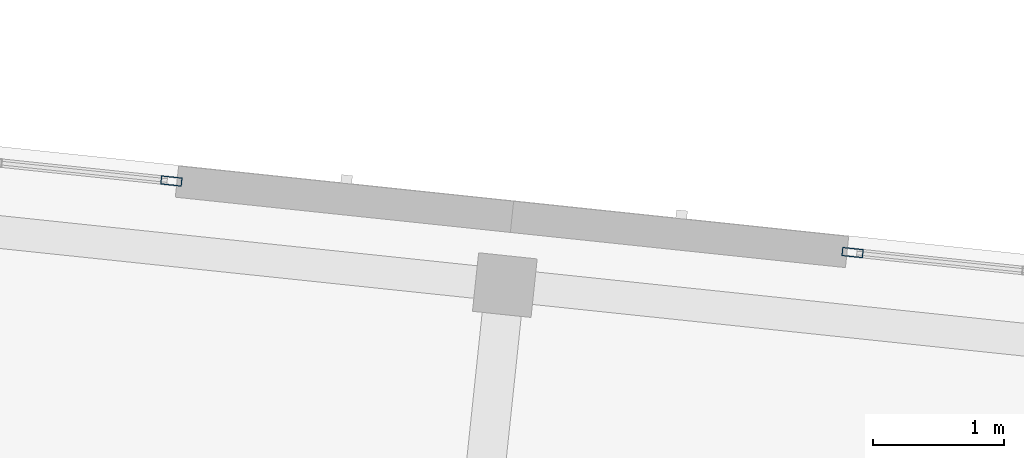
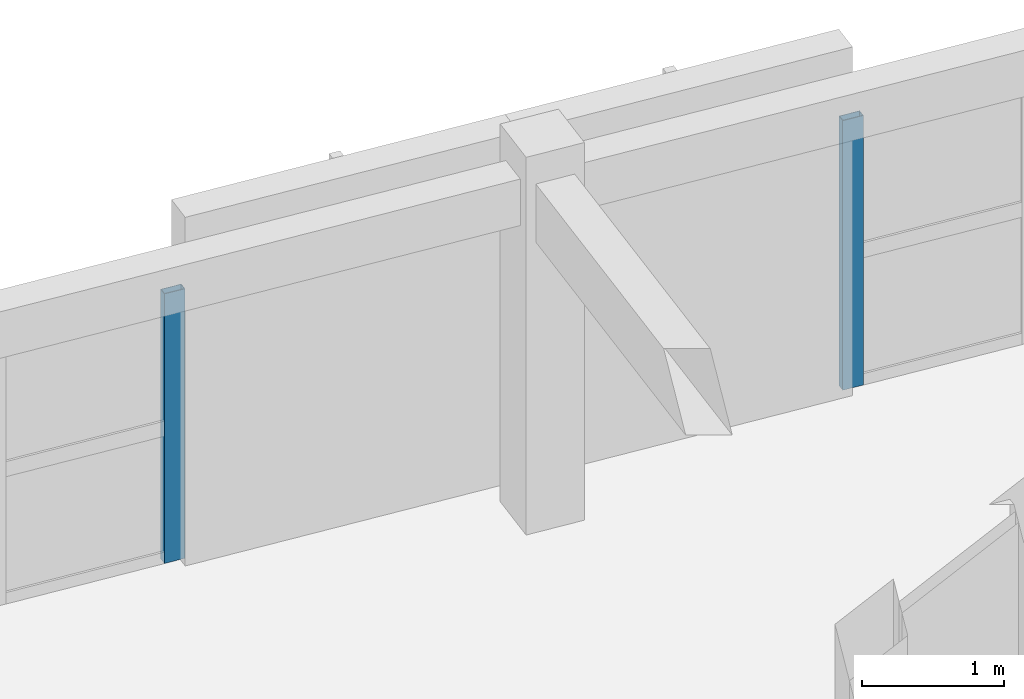
# One storey, part 11 of 45: 2 members, 2 elements without a shape of their own.
"""IFC4 building model written with IfcOpenShell, lengths in metres."""

from ifc_helpers import new_model, si_unit, direction, frame, origin, origin_2d, place, context, subcontext, project, spatial, hollow_rectangle, extrude, material, material_profile, profile_set, type_object, element, aggregate, save


model = new_model("IFC4")

# Units and contexts
model_context = context("Model", 3, precision=1e-05, world=origin(), true_north=direction((0.0, 1.0)))
body_context = subcontext(model_context, "Body", "Model", "MODEL_VIEW")
ifc_project = project(units=[si_unit("LENGTHUNIT", "METRE"), si_unit("AREAUNIT", "SQUARE_METRE"), si_unit("VOLUMEUNIT", "CUBIC_METRE"), si_unit("PLANEANGLEUNIT", "RADIAN"), si_unit("MASSUNIT", "GRAM", prefix="KILO")], contexts=[model_context])

# Site, building, storey
site_placement = place(None, origin())
site = spatial("IfcSite", under=ifc_project, at=site_placement, CompositionType="ELEMENT")
building_placement = place(site_placement, origin())
building = spatial("IfcBuilding", under=site, at=building_placement, Name="Kestramere Prow Commons", CompositionType="ELEMENT")
storey_placement = place(building_placement, frame((0.0, 0.0, 31.14990234375)))
storey = spatial("IfcBuildingStorey", under=building, at=storey_placement, Name="L09", CompositionType="ELEMENT", Elevation=31.14990234375)

# Curtain wall, member
ifc_material_1 = material(Name="Anodised Aluminium and Low-E Glass", Category="aluminium")
curtain_wall_type = type_object("IfcCurtainWallType", Name="CW-03 Glazed Curtain Wall 2830x2320", PredefinedType="USERDEFINED", material=ifc_material_1)
curtain_wall_1_placement = place(storey_placement, origin())
curtain_wall_1 = element("IfcCurtainWall", 1, at=curtain_wall_1_placement, inside=storey, type_object=curtain_wall_type, Name="Block B L09 Stairwell Vertical Glazing 4", ObjectType="GLAZED CURTAIN WALL", PredefinedType="USERDEFINED")
ifc_material_2 = material(Name="Anodised Aluminium 6063-T6", Category="aluminium")
ifc_material_profile = material_profile(ifc_material_2, hollow_rectangle(XDim=0.06494140625, YDim=0.159912109375, WallThickness=0.00390625, at=origin_2d()), Name="ALU-MUL 65x160")
ifc_profile_set = profile_set([ifc_material_profile], Name="Anodised Aluminium 6063-T6")
member_type = type_object("IfcMemberType", Name="CW-MUL-65x160", PredefinedType="MULLION", material=ifc_profile_set)
member_1_placement = place(storey_placement, frame((141.3251953125, 111.743408203125, 0.0), z_axis=(0.0, 0.0, 1.0), x_axis=(0.104528618845, 0.994521879016, 0.0)))
member_1 = element("IfcMember", 2, at=member_1_placement, type_object=member_type, Name="CW-03 mullion 3", PredefinedType="MULLION", context=body_context, shape_type="SweptSolid", body=[
    extrude(hollow_rectangle(XDim=0.06494140625, YDim=0.159912109375, WallThickness=0.00390625, at=origin_2d()), origin(), (0.0, 0.0, 1.0), 2.320068359375),
])
aggregate(curtain_wall_1, [member_1])

curtain_wall_2_placement = place(storey_placement, origin())
curtain_wall_2 = element("IfcCurtainWall", 3, at=curtain_wall_2_placement, inside=storey, type_object=curtain_wall_type, Name="Block B L09 Stairwell Vertical Glazing 5", ObjectType="GLAZED CURTAIN WALL", PredefinedType="USERDEFINED")
member_2_placement = place(storey_placement, frame((146.531494140625, 111.1962890625, 0.0), z_axis=(0.0, 0.0, 1.0), x_axis=(0.104528269348, 0.99452191575, 0.0)))
member_2 = element("IfcMember", 4, at=member_2_placement, type_object=member_type, Name="CW-03 mullion 1", PredefinedType="MULLION", context=body_context, shape_type="SweptSolid", body=[
    extrude(hollow_rectangle(XDim=0.06494140625, YDim=0.159912109375, WallThickness=0.00390625, at=origin_2d()), origin(), (0.0, 0.0, 1.0), 2.320068359375),
])
aggregate(curtain_wall_2, [member_2])

save(model, "model.ifc")
